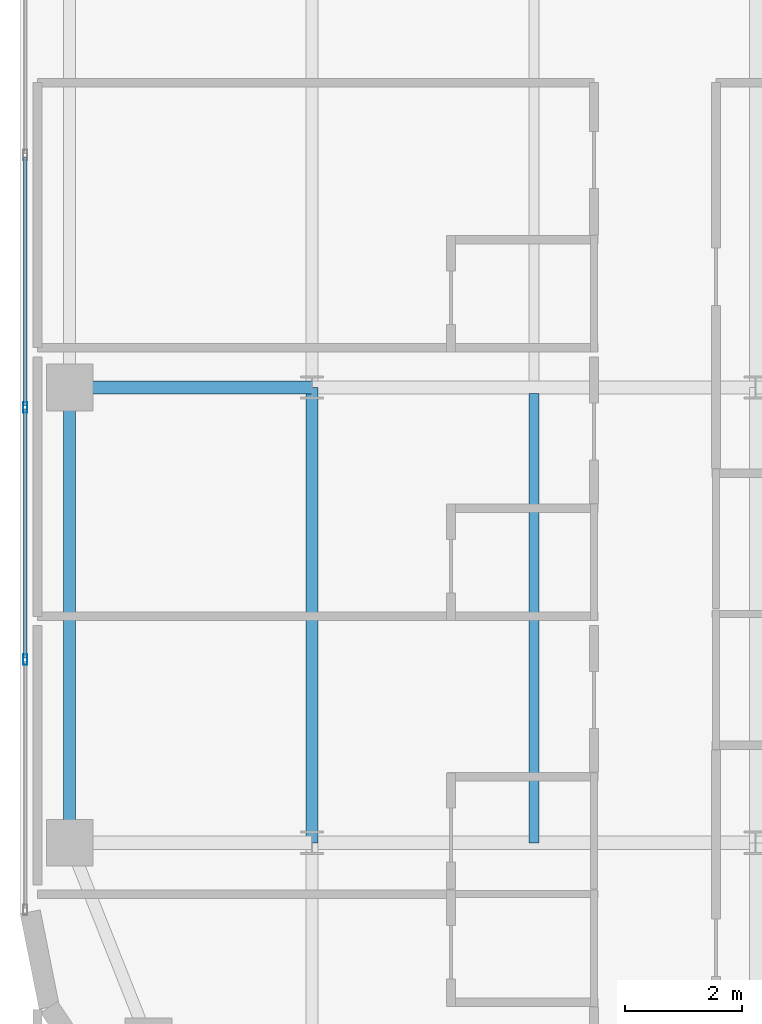
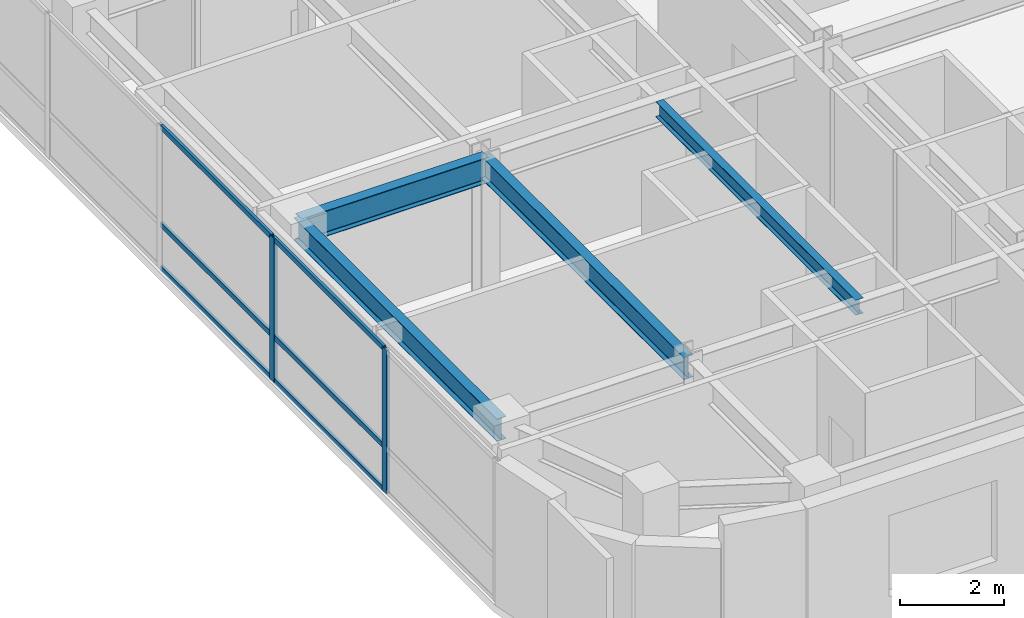
# One storey, part 5 of 24: 8 members, 4 beams, 1 element without a shape of its own.
"""IFC4 building model written with IfcOpenShell, lengths in metres."""

from ifc_helpers import new_model, si_unit, direction, frame, origin, origin_2d, place, context, subcontext, project, spatial, hollow_rectangle, i_section, extrude, source, transform, mapped, material, layer, layer_set, material_profile, profile_set, type_object, type_shapes, element, aggregate, save


model = new_model("IFC4")

# Units and contexts
model_context = context("Model", 3, precision=1e-05, world=origin(), true_north=direction((0.0, 1.0)))
body_context = subcontext(model_context, "Body", "Model", "MODEL_VIEW")
ifc_project = project(units=[si_unit("LENGTHUNIT", "METRE"), si_unit("AREAUNIT", "SQUARE_METRE"), si_unit("VOLUMEUNIT", "CUBIC_METRE"), si_unit("PLANEANGLEUNIT", "RADIAN"), si_unit("MASSUNIT", "GRAM", prefix="KILO")], contexts=[model_context])

# Site, building, storey
site_placement = place(None, origin())
site = spatial("IfcSite", under=ifc_project, at=site_placement, CompositionType="ELEMENT")
building_placement = place(site_placement, origin())
building = spatial("IfcBuilding", under=site, at=building_placement, Name="Tolvann Quenvar Hotel", CompositionType="ELEMENT")
storey_placement = place(building_placement, frame((0.0, 0.0, 157.699951171875)))
storey = spatial("IfcBuildingStorey", under=building, at=storey_placement, Name="L41", CompositionType="ELEMENT", Elevation=157.699951171875)

# Beams
ifc_material_1 = material(Name="Steel Grade 350", Category="steel")
ifc_material_profile_1 = material_profile(ifc_material_1, i_section(OverallWidth=0.208984375, OverallDepth=0.528076171875, WebThickness=0.009521484375, FlangeThickness=0.01318359375, FilletRadius=0.013916015625, at=origin_2d()), Name="530UB82")
ifc_profile_set_1 = profile_set([ifc_material_profile_1], Name="Steel Grade 350")
beam_type_1 = type_object("IfcBeamType", Name="BM_SPAND_530UB82", PredefinedType="SPANDREL", material=ifc_profile_set_1)
shared_shape_1 = source(origin(), body_context, "Body", "SweptSolid", [
    extrude(i_section(OverallWidth=0.208984375, OverallDepth=0.528076171875, WebThickness=0.009521484375, FlangeThickness=0.01318359375, FilletRadius=0.013916015625, at=origin_2d()), origin(), (0.0, 0.0, 1.0), 7.800048828125),
])
type_shapes(beam_type_1, [shared_shape_1])
beam_1_placement = place(storey_placement, frame((3.449951171875, 8.199951171875, 3.10595703125), z_axis=(0.0, 1.0, 0.0), x_axis=(-1.0, 0.0, 0.0)))
element("IfcBeam", 1, at=beam_1_placement, inside=storey, type_object=beam_type_1, Name="BM-L41-NS-B3-B4", PredefinedType="SPANDREL", context=body_context, shape_type="MappedRepresentation", body=[
    mapped(shared_shape_1, transform((0.0, 0.0, 0.0), x_axis=(1.0, 0.0, 0.0), y_axis=(0.0, 1.0, 0.0), z_axis=(0.0, 0.0, 1.0), scale=1.0)),
])
ifc_material_profile_2 = material_profile(ifc_material_1, i_section(OverallWidth=0.208984375, OverallDepth=0.532958984375, WebThickness=0.01025390625, FlangeThickness=0.015625, FilletRadius=0.013916015625, at=origin_2d()), Name="530UB92")
ifc_profile_set_2 = profile_set([ifc_material_profile_2], Name="Steel Grade 350")
beam_type_2 = type_object("IfcBeamType", Name="BM_GIRD_530UB92", PredefinedType="BEAM", material=ifc_profile_set_2)
shared_shape_2 = source(origin(), body_context, "Body", "SweptSolid", [
    extrude(i_section(OverallWidth=0.208984375, OverallDepth=0.532958984375, WebThickness=0.01025390625, FlangeThickness=0.015625, FilletRadius=0.013916015625, at=origin_2d()), origin(), (0.0, 0.0, 1.0), 7.800048828125),
])
type_shapes(beam_type_2, [shared_shape_2])
beam_2_placement = place(storey_placement, frame((7.60009765625, 8.199951171875, 3.103515625), z_axis=(0.0, 1.0, 0.0), x_axis=(-1.0, 0.0, 0.0)))
element("IfcBeam", 2, at=beam_2_placement, inside=storey, type_object=beam_type_2, Name="BM-L41-NS-C3-C4", PredefinedType="BEAM", context=body_context, shape_type="MappedRepresentation", body=[
    mapped(shared_shape_2, transform((0.0, 0.0, 0.0), x_axis=(1.0, 0.0, 0.0), y_axis=(0.0, 1.0, 0.0), z_axis=(0.0, 0.0, 1.0), scale=1.0)),
])
ifc_material_profile_3 = material_profile(ifc_material_1, i_section(OverallWidth=0.22802734375, OverallDepth=0.60205078125, WebThickness=0.010498046875, FlangeThickness=0.014892578125, FilletRadius=0.013916015625, at=origin_2d()), Name="610UB101")
ifc_profile_set_3 = profile_set([ifc_material_profile_3], Name="Steel Grade 350")
beam_type_3 = type_object("IfcBeamType", Name="BM_GIRD_610UB101", PredefinedType="BEAM", material=ifc_profile_set_3)
shared_shape_3 = source(origin(), body_context, "Body", "SweptSolid", [
    extrude(i_section(OverallWidth=0.22802734375, OverallDepth=0.60205078125, WebThickness=0.010498046875, FlangeThickness=0.014892578125, FilletRadius=0.013916015625, at=origin_2d()), origin(), (0.0, 0.0, 1.0), 4.150146484375),
])
type_shapes(beam_type_3, [shared_shape_3])
beam_3_placement = place(storey_placement, frame((3.449951171875, 16.0, 3.069091796875), z_axis=(1.0, 0.0, 0.0), x_axis=(0.0, 1.0, 0.0)))
element("IfcBeam", 3, at=beam_3_placement, inside=storey, type_object=beam_type_3, Name="BM-L41-EW-4-B4-C4", PredefinedType="BEAM", context=body_context, shape_type="MappedRepresentation", body=[
    mapped(shared_shape_3, transform((0.0, 0.0, 0.0), x_axis=(1.0, 0.0, 0.0), y_axis=(0.0, 1.0, 0.0), z_axis=(0.0, 0.0, 1.0), scale=1.0)),
])
ifc_material_profile_4 = material_profile(ifc_material_1, i_section(OverallWidth=0.172119140625, OverallDepth=0.35888671875, WebThickness=0.008056640625, FlangeThickness=0.012939453125, FilletRadius=0.011474609375, at=origin_2d()), Name="360UB57")
ifc_profile_set_4 = profile_set([ifc_material_profile_4], Name="Steel Grade 350")
beam_type_4 = type_object("IfcBeamType", Name="BM_JOIST_360UB57", PredefinedType="JOIST", material=ifc_profile_set_4)
shared_shape_4 = source(origin(), body_context, "Body", "SweptSolid", [
    extrude(i_section(OverallWidth=0.172119140625, OverallDepth=0.35888671875, WebThickness=0.008056640625, FlangeThickness=0.012939453125, FilletRadius=0.011474609375, at=origin_2d()), origin(), (0.0, 0.0, 1.0), 7.692138671875),
])
type_shapes(beam_type_4, [shared_shape_4])
beam_4_placement = place(storey_placement, frame((11.39990234375, 8.199951171875, 3.1904296875), z_axis=(0.0, 1.0, 0.0), x_axis=(-1.0, 0.0, 0.0)))
element("IfcBeam", 4, at=beam_4_placement, inside=storey, type_object=beam_type_4, Name="BJ-L41-114-82", PredefinedType="JOIST", context=body_context, shape_type="MappedRepresentation", body=[
    mapped(shared_shape_4, transform((0.0, 0.0, 0.0), x_axis=(1.0, 0.0, 0.0), y_axis=(0.0, 1.0, 0.0), z_axis=(0.0, 0.0, 1.0), scale=1.0)),
])

# Curtain wall, members
ifc_material_2 = material(Name="Thermally broken anodised architectural aluminium 6063-T6 and laminated low-E glass", Category="aluminium")
ifc_layer = layer(ifc_material_2, 0.179931640625)
ifc_layer_set = layer_set([ifc_layer], Name="Thermally broken anodised architectural aluminium 6063-T6 and laminated low-E glass")
curtain_wall_type = type_object("IfcCurtainWallType", Name="CW_SYS_BAND_04", PredefinedType="USERDEFINED", material=ifc_layer_set)
curtain_wall_placement = place(storey_placement, origin())
curtain_wall = element("IfcCurtainWall", 5, at=curtain_wall_placement, inside=storey, type_object=curtain_wall_type, Name="Curtain Wall CW-BAND-04 (CWR-L41-E23)", ObjectType="UNITISED CURTAIN WALL", PredefinedType="USERDEFINED")
ifc_material_3 = material(Name="Anodised architectural aluminium 6063-T6 framing", Category="aluminium")
ifc_material_profile_5 = material_profile(ifc_material_3, hollow_rectangle(XDim=0.070068359375, YDim=0.179931640625, WallThickness=0.00390625, at=origin_2d()), Name="180x70x4RHS")
ifc_profile_set_5 = profile_set([ifc_material_profile_5], Name="Anodised architectural aluminium 6063-T6 framing")
member_type_1 = type_object("IfcMemberType", Name="CW_MULL_180x70", PredefinedType="MULLION", material=ifc_profile_set_5)
shared_shape_5 = source(origin(), body_context, "Body", "SweptSolid", [
    extrude(hollow_rectangle(XDim=0.070068359375, YDim=0.179931640625, WallThickness=0.00390625, at=origin_2d()), origin(), (0.0, 0.0, 1.0), 3.3701171875),
])
type_shapes(member_type_1, [shared_shape_5])
member_1_placement = place(storey_placement, frame((2.68994140625, 15.65869140625, 0.0), z_axis=(0.0, 0.0, 1.0), x_axis=(1.0, 0.0, 0.0)))
member_1 = element("IfcMember", 6, at=member_1_placement, type_object=member_type_1, Name="CW-BAND-04 mullion 7", PredefinedType="MULLION", context=body_context, shape_type="MappedRepresentation", body=[
    mapped(shared_shape_5, transform((0.0, 0.0, 0.0), x_axis=(1.0, 0.0, 0.0), y_axis=(0.0, 1.0, 0.0), z_axis=(0.0, 0.0, 1.0), scale=1.0)),
])
member_2_placement = place(storey_placement, frame((2.68994140625, 11.337890625, 0.0), z_axis=(0.0, 0.0, 1.0), x_axis=(1.0, 0.0, 0.0)))
member_2 = element("IfcMember", 7, at=member_2_placement, type_object=member_type_1, Name="CW-BAND-04 mullion 8", PredefinedType="MULLION", context=body_context, shape_type="MappedRepresentation", body=[
    mapped(shared_shape_5, transform((0.0, 0.0, 0.0), x_axis=(1.0, 0.0, 0.0), y_axis=(0.0, 1.0, 0.0), z_axis=(0.0, 0.0, 1.0), scale=1.0)),
])
ifc_material_profile_6 = material_profile(ifc_material_3, hollow_rectangle(XDim=0.06005859375, YDim=0.1201171875, WallThickness=0.00341796875, at=origin_2d()), Name="120x60x3.5RHS")
ifc_profile_set_6 = profile_set([ifc_material_profile_6], Name="Anodised architectural aluminium 6063-T6 framing")
member_type_2 = type_object("IfcMemberType", Name="CW_TRAN_120x60", PredefinedType="USERDEFINED", material=ifc_profile_set_6)
shared_shape_6 = source(origin(), body_context, "Body", "SweptSolid", [
    extrude(hollow_rectangle(XDim=0.06005859375, YDim=0.1201171875, WallThickness=0.00341796875, at=origin_2d()), origin(), (0.0, 0.0, 1.0), 4.250732421875),
])
type_shapes(member_type_2, [shared_shape_6])
member_3_placement = place(storey_placement, frame((2.68994140625, 19.9443359375, 0.030029296875), z_axis=(0.0, -1.0, 0.0), x_axis=(1.0, 0.0, 0.0)))
member_3 = element("IfcMember", 8, at=member_3_placement, type_object=member_type_2, Name="CW-BAND-04 transom 6.1", ObjectType="TRANSOM", PredefinedType="USERDEFINED", context=body_context, shape_type="MappedRepresentation", body=[
    mapped(shared_shape_6, transform((0.0, 0.0, 0.0), x_axis=(1.0, 0.0, 0.0), y_axis=(0.0, 1.0, 0.0), z_axis=(0.0, 0.0, 1.0), scale=1.0)),
])
member_4_placement = place(storey_placement, frame((2.68994140625, 19.9443359375, 1.050048828125), z_axis=(0.0, -1.0, 0.0), x_axis=(1.0, 0.0, 0.0)))
member_4 = element("IfcMember", 9, at=member_4_placement, type_object=member_type_2, Name="CW-BAND-04 transom 6.2", ObjectType="TRANSOM", PredefinedType="USERDEFINED", context=body_context, shape_type="MappedRepresentation", body=[
    mapped(shared_shape_6, transform((0.0, 0.0, 0.0), x_axis=(1.0, 0.0, 0.0), y_axis=(0.0, 1.0, 0.0), z_axis=(0.0, 0.0, 1.0), scale=1.0)),
])
member_5_placement = place(storey_placement, frame((2.68994140625, 19.9443359375, 3.340087890625), z_axis=(0.0, -1.0, 0.0), x_axis=(1.0, 0.0, 0.0)))
member_5 = element("IfcMember", 10, at=member_5_placement, type_object=member_type_2, Name="CW-BAND-04 transom 6.3", ObjectType="TRANSOM", PredefinedType="USERDEFINED", context=body_context, shape_type="MappedRepresentation", body=[
    mapped(shared_shape_6, transform((0.0, 0.0, 0.0), x_axis=(1.0, 0.0, 0.0), y_axis=(0.0, 1.0, 0.0), z_axis=(0.0, 0.0, 1.0), scale=1.0)),
])
member_6_placement = place(storey_placement, frame((2.68994140625, 15.62353515625, 0.030029296875), z_axis=(0.0, -1.0, 0.0), x_axis=(1.0, 0.0, 0.0)))
member_6 = element("IfcMember", 11, at=member_6_placement, type_object=member_type_2, Name="CW-BAND-04 transom 7.1", ObjectType="TRANSOM", PredefinedType="USERDEFINED", context=body_context, shape_type="MappedRepresentation", body=[
    mapped(shared_shape_6, transform((0.0, 0.0, 0.0), x_axis=(1.0, 0.0, 0.0), y_axis=(0.0, 1.0, 0.0), z_axis=(0.0, 0.0, 1.0), scale=1.0)),
])
member_7_placement = place(storey_placement, frame((2.68994140625, 15.62353515625, 1.050048828125), z_axis=(0.0, -1.0, 0.0), x_axis=(1.0, 0.0, 0.0)))
member_7 = element("IfcMember", 12, at=member_7_placement, type_object=member_type_2, Name="CW-BAND-04 transom 7.2", ObjectType="TRANSOM", PredefinedType="USERDEFINED", context=body_context, shape_type="MappedRepresentation", body=[
    mapped(shared_shape_6, transform((0.0, 0.0, 0.0), x_axis=(1.0, 0.0, 0.0), y_axis=(0.0, 1.0, 0.0), z_axis=(0.0, 0.0, 1.0), scale=1.0)),
])
member_8_placement = place(storey_placement, frame((2.68994140625, 15.62353515625, 3.340087890625), z_axis=(0.0, -1.0, 0.0), x_axis=(1.0, 0.0, 0.0)))
member_8 = element("IfcMember", 13, at=member_8_placement, type_object=member_type_2, Name="CW-BAND-04 transom 7.3", ObjectType="TRANSOM", PredefinedType="USERDEFINED", context=body_context, shape_type="MappedRepresentation", body=[
    mapped(shared_shape_6, transform((0.0, 0.0, 0.0), x_axis=(1.0, 0.0, 0.0), y_axis=(0.0, 1.0, 0.0), z_axis=(0.0, 0.0, 1.0), scale=1.0)),
])
aggregate(curtain_wall, [member_1, member_2, member_3, member_4, member_5, member_6, member_7, member_8])

save(model, "model.ifc")
